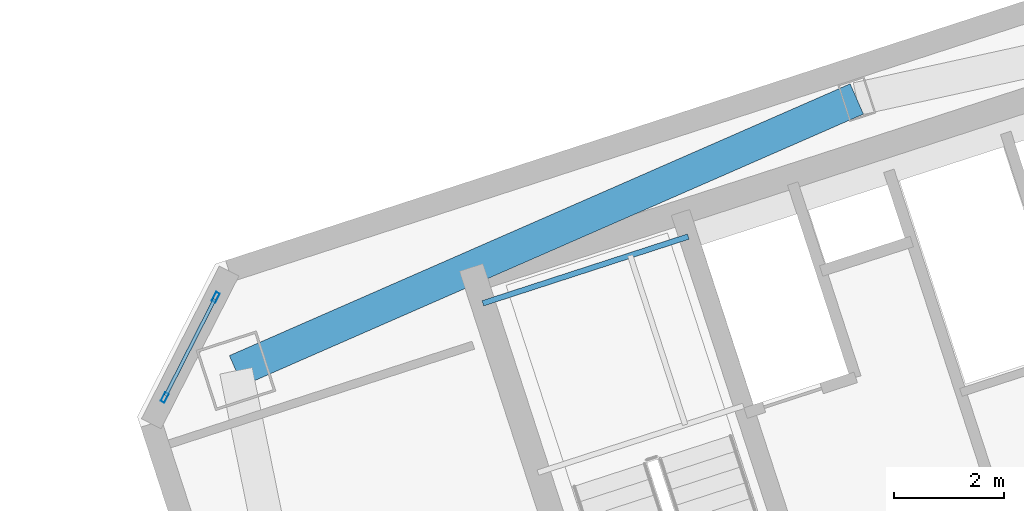
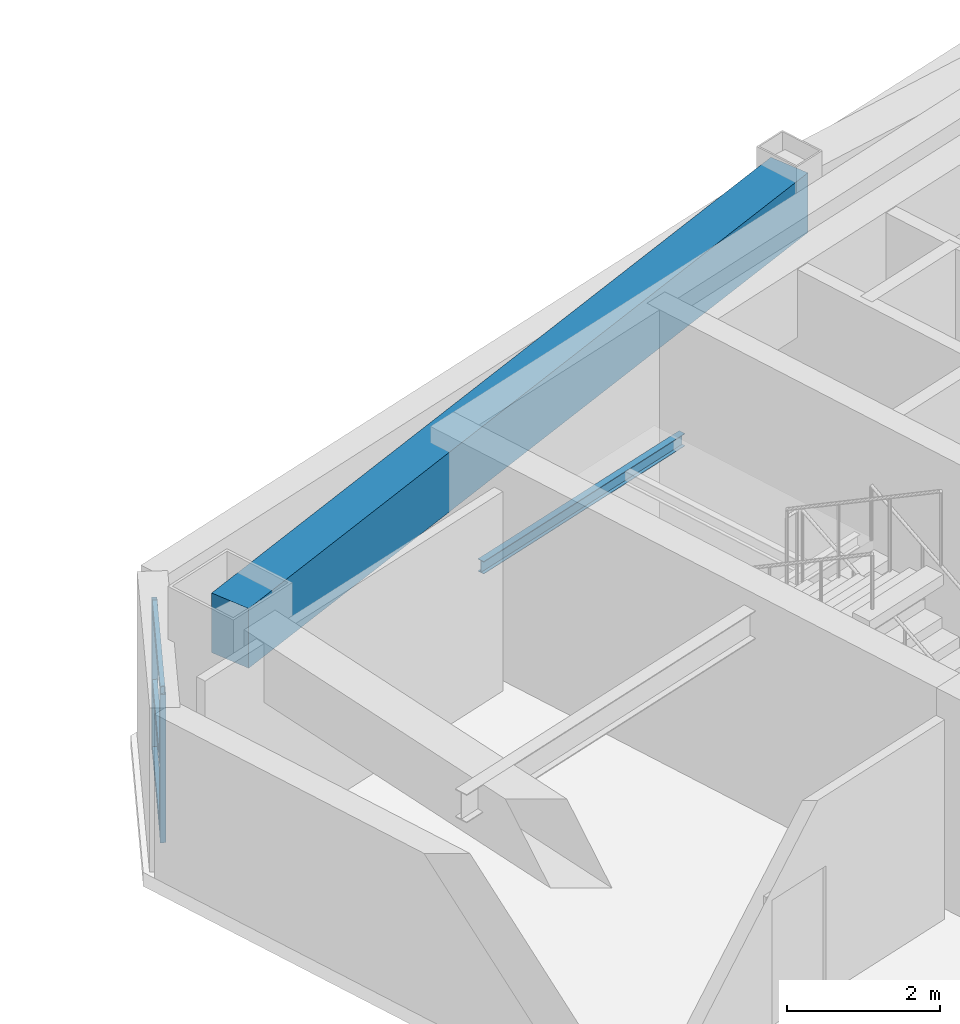
# One storey, part 8 of 20: 5 members, 2 beams, 1 element without a shape of its own.
"""IFC4 building model written with IfcOpenShell, lengths in metres."""

from ifc_helpers import new_model, si_unit, direction, frame, origin, origin_2d, place, context, subcontext, project, spatial, rectangle, hollow_rectangle, i_section, extrude, material, layer, layer_set, material_profile, profile_set, type_object, element, aggregate, save


model = new_model("IFC4")

# Units and contexts
model_context = context("Model", 3, precision=1e-05, world=origin(), true_north=direction((0.0, 1.0)))
body_context = subcontext(model_context, "Body", "Model", "MODEL_VIEW")
ifc_project = project(units=[si_unit("LENGTHUNIT", "METRE"), si_unit("AREAUNIT", "SQUARE_METRE"), si_unit("VOLUMEUNIT", "CUBIC_METRE"), si_unit("PLANEANGLEUNIT", "RADIAN"), si_unit("MASSUNIT", "GRAM", prefix="KILO")], contexts=[model_context])

# Site, building, storey
site_placement = place(None, origin())
site = spatial("IfcSite", under=ifc_project, at=site_placement, CompositionType="ELEMENT")
building_placement = place(site_placement, origin())
building = spatial("IfcBuilding", under=site, at=building_placement, Name="Qiaolan Cultural Towers", CompositionType="ELEMENT")
storey_placement = place(building_placement, frame((0.0, 0.0, 223.10009765625)))
storey = spatial("IfcBuildingStorey", under=building, at=storey_placement, Name="L60", CompositionType="ELEMENT", Elevation=223.10009765625)

# Beams
ifc_material_1 = material(Name="Concrete C50", Category="concrete")
ifc_material_profile_1 = material_profile(ifc_material_1, rectangle(XDim=0.60009765625, YDim=0.949951171875, at=origin_2d()), Name="RC600x950")
ifc_profile_set_1 = profile_set([ifc_material_profile_1], Name="Concrete C50")
beam_type_1 = type_object("IfcBeamType", Name="BM-SPD-RC600x950", PredefinedType="SPANDREL", material=ifc_profile_set_1)
beam_1_placement = place(storey_placement, frame((83.556884765625, 53.82958984375, 2.71484375), z_axis=(-0.916042038824, -0.401082264762, 0.0), x_axis=(0.401082264762, -0.916042038824, 0.0)))
element("IfcBeam", 1, at=beam_1_placement, inside=storey, type_object=beam_type_1, Name="L60 T2 Perimeter Spandrel Beam 8", PredefinedType="SPANDREL", context=body_context, shape_type="SweptSolid", body=[
    extrude(rectangle(XDim=0.60009765625, YDim=0.949951171875, at=origin_2d()), origin(), (0.0, 0.0, 1.0), 12.299560546875),
])
ifc_material_2 = material(Name="Steel Q355B", Category="steel")
ifc_material_profile_2 = material_profile(ifc_material_2, i_section(OverallWidth=0.10009765625, OverallDepth=0.199951171875, WebThickness=0.005615234375, FlangeThickness=0.008056640625, at=origin_2d()), Name="HN200x100x5.5x8")
ifc_profile_set_2 = profile_set([ifc_material_profile_2], Name="Steel Q355B")
beam_type_2 = type_object("IfcBeamType", Name="BM-STTRIM-200", PredefinedType="BEAM", material=ifc_profile_set_2)
beam_2_placement = place(storey_placement, frame((76.770751953125, 50.12109375, 1.4248046875), z_axis=(0.951072048947, 0.3089691857, 0.0), x_axis=(-0.3089691857, 0.951072048947, 0.0)))
element("IfcBeam", 2, at=beam_2_placement, inside=storey, type_object=beam_type_2, Name="L60 ST-E2 Stair Landing Support Beam 1-2", PredefinedType="BEAM", context=body_context, shape_type="SweptSolid", body=[
    extrude(i_section(OverallWidth=0.10009765625, OverallDepth=0.199951171875, WebThickness=0.005615234375, FlangeThickness=0.008056640625, at=origin_2d()), origin(), (0.0, 0.0, 1.0), 3.920166015625),
])

# Curtain wall, members
ifc_material_3 = material(Name="Unitized Anodized Aluminium Curtain Wall System", Category="aluminium")
ifc_layer = layer(ifc_material_3, 0.199951171875)
ifc_layer_set = layer_set([ifc_layer], Name="Unitized Anodized Aluminium Curtain Wall System")
curtain_wall_type = type_object("IfcCurtainWallType", Name="CWS-05", PredefinedType="NOTDEFINED", material=ifc_layer_set)
curtain_wall_placement = place(storey_placement, origin())
curtain_wall = element("IfcCurtainWall", 3, at=curtain_wall_placement, inside=storey, type_object=curtain_wall_type, Name="L60 T2 Chamfer Wind-Corner Feature Curtain Wall 1", PredefinedType="NOTDEFINED")
ifc_material_4 = material(Name="Extruded Aluminium 6063-T6", Category="aluminium")
ifc_material_profile_3 = material_profile(ifc_material_4, hollow_rectangle(XDim=0.074951171875, YDim=0.179931640625, WallThickness=0.00390625, at=origin_2d()), Name="CWM-180x75x4")
ifc_profile_set_3 = profile_set([ifc_material_profile_3], Name="Extruded Aluminium 6063-T6")
member_type_1 = type_object("IfcMemberType", Name="CWS-05-MUL", PredefinedType="MULLION", material=ifc_profile_set_3)
member_1_placement = place(storey_placement, frame((70.9951171875, 48.410888671875, 0.14990234375), z_axis=(0.0, 0.0, 1.0), x_axis=(-0.89100655078, 0.45399044755, 0.0)))
member_1 = element("IfcMember", 4, at=member_1_placement, type_object=member_type_1, Name="CW-5 mullion 1", PredefinedType="MULLION", context=body_context, shape_type="SweptSolid", body=[
    extrude(hollow_rectangle(XDim=0.074951171875, YDim=0.179931640625, WallThickness=0.00390625, at=origin_2d()), origin(), (0.0, 0.0, 1.0), 2.360107421875),
])
member_2_placement = place(storey_placement, frame((71.921630859375, 50.229248046875, 0.14990234375), z_axis=(0.0, 0.0, 1.0), x_axis=(-0.89100655078, 0.45399044755, 0.0)))
member_2 = element("IfcMember", 5, at=member_2_placement, type_object=member_type_1, Name="CW-5 mullion 2", PredefinedType="MULLION", context=body_context, shape_type="SweptSolid", body=[
    extrude(hollow_rectangle(XDim=0.074951171875, YDim=0.179931640625, WallThickness=0.00390625, at=origin_2d()), origin(), (0.0, 0.0, 1.0), 2.360107421875),
])
ifc_material_5 = material(Name="Extruded Aluminium 6063-T6", Category="aluminium")
ifc_material_profile_4 = material_profile(ifc_material_5, hollow_rectangle(XDim=0.06494140625, YDim=0.14990234375, WallThickness=0.00390625, at=origin_2d()), Name="CWT-150x65x4")
ifc_profile_set_4 = profile_set([ifc_material_profile_4], Name="Extruded Aluminium 6063-T6")
member_type_2 = type_object("IfcMemberType", Name="CWS-05-TRN", PredefinedType="USERDEFINED", material=ifc_profile_set_4)
member_3_placement = place(storey_placement, frame((71.01220703125, 48.4443359375, 0.182373046875), z_axis=(0.453957410805, 0.891023383069, 0.0), x_axis=(-0.891023383069, 0.453957410805, 0.0)))
member_3 = element("IfcMember", 6, at=member_3_placement, type_object=member_type_2, Name="CW-5 transom 1.1", ObjectType="TRANSOM", PredefinedType="USERDEFINED", context=body_context, shape_type="SweptSolid", body=[
    extrude(hollow_rectangle(XDim=0.06494140625, YDim=0.14990234375, WallThickness=0.00390625, at=origin_2d()), origin(), (0.0, 0.0, 1.0), 1.965576171875),
])
member_4_placement = place(storey_placement, frame((71.01220703125, 48.4443359375, 1.25), z_axis=(0.453957410805, 0.891023383069, 0.0), x_axis=(-0.891023383069, 0.453957410805, 0.0)))
member_4 = element("IfcMember", 7, at=member_4_placement, type_object=member_type_2, Name="CW-5 transom 1.2", ObjectType="TRANSOM", PredefinedType="USERDEFINED", context=body_context, shape_type="SweptSolid", body=[
    extrude(hollow_rectangle(XDim=0.06494140625, YDim=0.14990234375, WallThickness=0.00390625, at=origin_2d()), origin(), (0.0, 0.0, 1.0), 1.965576171875),
])
member_5_placement = place(storey_placement, frame((71.01220703125, 48.4443359375, 2.477294921875), z_axis=(0.453957410805, 0.891023383069, 0.0), x_axis=(-0.891023383069, 0.453957410805, 0.0)))
member_5 = element("IfcMember", 8, at=member_5_placement, type_object=member_type_2, Name="CW-5 transom 1.3", ObjectType="TRANSOM", PredefinedType="USERDEFINED", context=body_context, shape_type="SweptSolid", body=[
    extrude(hollow_rectangle(XDim=0.06494140625, YDim=0.14990234375, WallThickness=0.00390625, at=origin_2d()), origin(), (0.0, 0.0, 1.0), 1.965576171875),
])
aggregate(curtain_wall, [member_1, member_2, member_3, member_4, member_5])

save(model, "model.ifc")
